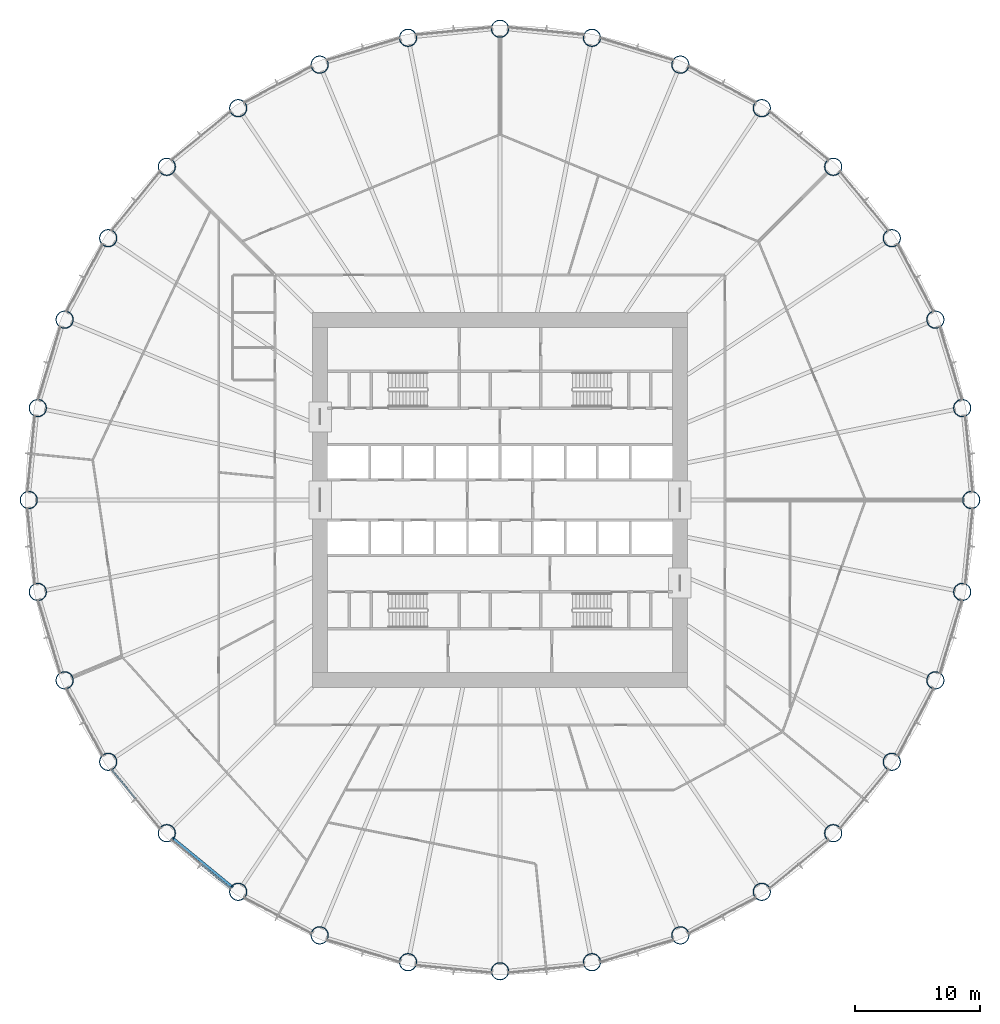
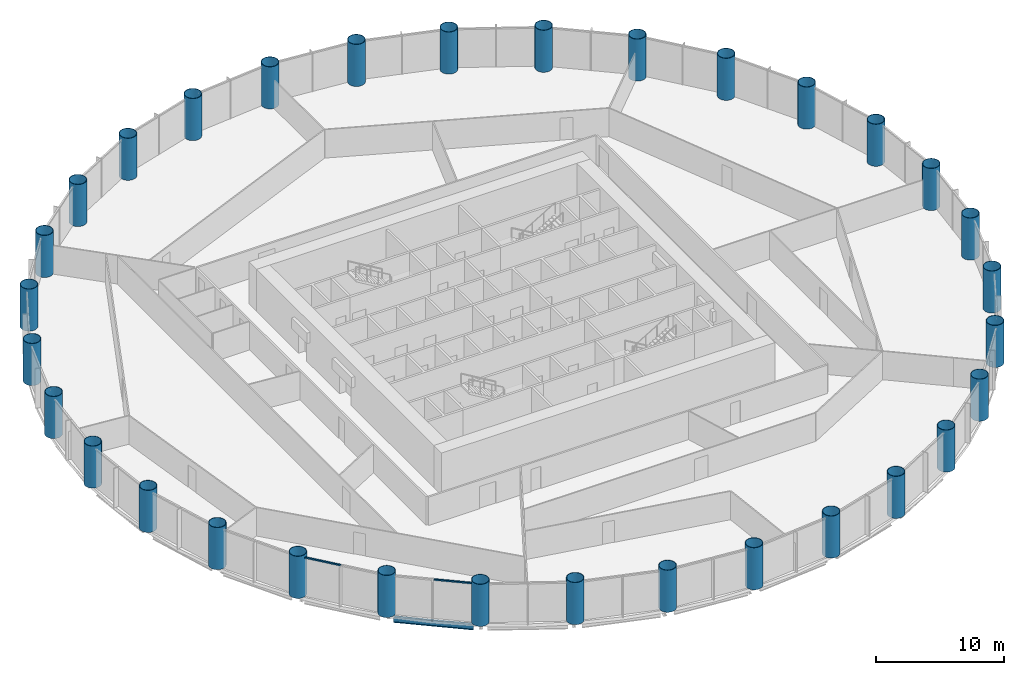
# One storey, part 1 of 15: 32 columns, 2 members, 1 beam, 2 elements without a shape of their own.
"""IFC4 building model written with IfcOpenShell, lengths in metres."""

from ifc_helpers import new_model, si_unit, direction, frame, origin, origin_2d, place, context, subcontext, project, spatial, rectangle, hollow_circle, i_section, extrude, material, material_profile, profile_set, type_object, element, aggregate, save


model = new_model("IFC4")

# Units and contexts
model_context = context("Model", 3, precision=1e-05, world=origin(), true_north=direction((0.0, 1.0)))
body_context = subcontext(model_context, "Body", "Model", "MODEL_VIEW")
ifc_project = project(units=[si_unit("LENGTHUNIT", "METRE"), si_unit("AREAUNIT", "SQUARE_METRE"), si_unit("VOLUMEUNIT", "CUBIC_METRE"), si_unit("PLANEANGLEUNIT", "RADIAN"), si_unit("MASSUNIT", "GRAM", prefix="KILO")], contexts=[model_context])

# Site, building, storey
site_placement = place(None, origin())
site = spatial("IfcSite", under=ifc_project, at=site_placement, CompositionType="ELEMENT")
building_placement = place(site_placement, origin())
building = spatial("IfcBuilding", under=site, at=building_placement, Name="Corvane Civic Tower", CompositionType="ELEMENT")
storey_placement = place(building_placement, frame((0.0, 0.0, 61.0)))
storey = spatial("IfcBuildingStorey", under=building, at=storey_placement, Name="L13", CompositionType="ELEMENT", Elevation=61.0)

# Columns
ifc_material_1 = material(Name="Steel ASTM A572 Gr 50", Category="steel")
ifc_material_profile_1 = material_profile(ifc_material_1, hollow_circle(Radius=0.699951171875, WallThickness=0.0400390625, at=origin_2d()), Name="CHS1400X40")
ifc_profile_set_1 = profile_set([ifc_material_profile_1], Name="Steel ASTM A572 Gr 50")
column_type = type_object("IfcColumnType", Name="COMPOSITE COLUMN CHS1400X40", PredefinedType="COLUMN", material=ifc_profile_set_1)
for number, where, z_axis, x_axis, name in (
    (1, (0.0, 37.699951171875, 0.0), (0.0, 0.0, 1.0), (1.0, 0.0, 0.0), "COL-L13-A01"),
    (2, (7.35498046875, 36.9755859375, 0.0), (0.0, 0.0, 1.0), (1.0, 0.0, 0.0), "COL-L13-A02"),
    (3, (14.42724609375, 34.830322265625, 0.0), (0.0, 0.0, 1.0), (1.0, 0.0, 0.0), "COL-L13-A03"),
    (4, (20.945068359375, 31.346435546875, 0.0), (0.0, 0.0, 1.0), (1.0, 0.0, 0.0), "COL-L13-A04"),
    (5, (26.657958984375, 26.657958984375, 0.0), (0.0, 0.0, 1.0), (1.0, 0.0, 0.0), "COL-L13-A05"),
    (6, (31.346435546875, 20.945068359375, 0.0), (0.0, 0.0, 1.0), (1.0, 0.0, 0.0), "COL-L13-A06"),
    (7, (34.830322265625, 14.42724609375, 0.0), (0.0, 0.0, 1.0), (1.0, 0.0, 0.0), "COL-L13-A07"),
    (8, (36.9755859375, 7.35498046875, 0.0), (0.0, 0.0, 1.0), (1.0, 0.0, 0.0), "COL-L13-A08"),
    (9, (37.699951171875, 0.0, 0.0), (0.0, 0.0, 1.0), (1.0, 0.0, 0.0), "COL-L13-A09"),
    (10, (36.9755859375, -7.35498046875, 0.0), (0.0, 0.0, 1.0), (1.0, 0.0, 0.0), "COL-L13-A10"),
    (11, (34.830322265625, -14.42724609375, 0.0), (0.0, 0.0, 1.0), (1.0, 0.0, 0.0), "COL-L13-A11"),
    (12, (31.346435546875, -20.945068359375, 0.0), (0.0, 0.0, 1.0), (1.0, 0.0, 0.0), "COL-L13-A12"),
    (13, (26.657958984375, -26.657958984375, 0.0), (0.0, 0.0, 1.0), (1.0, 0.0, 0.0), "COL-L13-A13"),
    (14, (20.945068359375, -31.346435546875, 0.0), (0.0, 0.0, 1.0), (1.0, 0.0, 0.0), "COL-L13-A14"),
    (15, (14.42724609375, -34.830322265625, 0.0), (0.0, 0.0, 1.0), (1.0, 0.0, 0.0), "COL-L13-A15"),
    (16, (7.35498046875, -36.9755859375, 0.0), (0.0, 0.0, 1.0), (1.0, 0.0, 0.0), "COL-L13-A16"),
    (17, (0.0, -37.699951171875, 0.0), (0.0, 0.0, 1.0), (1.0, 0.0, 0.0), "COL-L13-A17"),
    (18, (-7.35498046875, -36.9755859375, 0.0), (0.0, 0.0, 1.0), (1.0, 0.0, 0.0), "COL-L13-A18"),
    (19, (-14.42724609375, -34.830322265625, 0.0), (0.0, 0.0, 1.0), (1.0, 0.0, 0.0), "COL-L13-A19"),
    (20, (-20.945068359375, -31.346435546875, 0.0), (0.0, 0.0, 1.0), (1.0, 0.0, 0.0), "COL-L13-A20"),
    (21, (-26.657958984375, -26.657958984375, 0.0), (0.0, 0.0, 1.0), (1.0, 0.0, 0.0), "COL-L13-A21"),
    (22, (-31.346435546875, -20.945068359375, 0.0), (0.0, 0.0, 1.0), (1.0, 0.0, 0.0), "COL-L13-A22"),
    (23, (-34.830322265625, -14.42724609375, 0.0), (0.0, 0.0, 1.0), (1.0, 0.0, 0.0), "COL-L13-A23"),
    (24, (-36.9755859375, -7.35498046875, 0.0), (0.0, 0.0, 1.0), (1.0, 0.0, 0.0), "COL-L13-A24"),
    (25, (-37.699951171875, 0.0, 0.0), (0.0, 0.0, 1.0), (1.0, 0.0, 0.0), "COL-L13-A25"),
    (26, (-36.9755859375, 7.35498046875, 0.0), (0.0, 0.0, 1.0), (1.0, 0.0, 0.0), "COL-L13-A26"),
    (27, (-34.830322265625, 14.42724609375, 0.0), (0.0, 0.0, 1.0), (1.0, 0.0, 0.0), "COL-L13-A27"),
    (28, (-31.346435546875, 20.945068359375, 0.0), (0.0, 0.0, 1.0), (1.0, 0.0, 0.0), "COL-L13-A28"),
    (29, (-26.657958984375, 26.657958984375, 0.0), (0.0, 0.0, 1.0), (1.0, 0.0, 0.0), "COL-L13-A29"),
    (30, (-20.945068359375, 31.346435546875, 0.0), (0.0, 0.0, 1.0), (1.0, 0.0, 0.0), "COL-L13-A30"),
    (31, (-14.42724609375, 34.830322265625, 0.0), (0.0, 0.0, 1.0), (1.0, 0.0, 0.0), "COL-L13-A31"),
    (32, (-7.35498046875, 36.9755859375, 0.0), (0.0, 0.0, 1.0), (1.0, 0.0, 0.0), "COL-L13-A32"),
):
    element("IfcColumn", number, at=place(storey_placement, frame(where, z_axis=z_axis, x_axis=x_axis)), inside=storey, type_object=column_type, Name=name, PredefinedType="COLUMN", context=body_context, shape_type="SweptSolid", body=[
        extrude(hollow_circle(Radius=0.699951171875, WallThickness=0.0400390625, at=origin_2d()), origin(), (0.0, 0.0, 1.0), 4.0),
    ])

# Beam
ifc_material_2 = material(Name="Steel ASTM A992 Gr 50", Category="steel")
ifc_material_profile_2 = material_profile(ifc_material_2, i_section(OverallWidth=0.209228515625, OverallDepth=0.533447265625, WebThickness=0.01025390625, FlangeThickness=0.015625, at=origin_2d()), Name="W21X62")
ifc_profile_set_2 = profile_set([ifc_material_profile_2], Name="Steel ASTM A992 Gr 50")
beam_type = type_object("IfcBeamType", Name="EDGE BEAM W21X62", PredefinedType="BEAM", material=ifc_profile_set_2)
beam_placement = place(storey_placement, frame((-21.3701171875, -30.99755859375, -0.566650390625), z_axis=(-0.773015785286, 0.634386787141, 0.0), x_axis=(-0.634386787141, -0.773015785286, 0.0)))
element("IfcBeam", 33, at=beam_placement, inside=storey, type_object=beam_type, Name="BM-L13-E20", PredefinedType="BEAM", context=body_context, shape_type="SweptSolid", body=[
    extrude(i_section(OverallWidth=0.209228515625, OverallDepth=0.533447265625, WebThickness=0.01025390625, FlangeThickness=0.015625, at=origin_2d()), origin(), (0.0, 0.0, 1.0), 6.290771484375),
])

# Curtain wall, member
ifc_material_3 = material(Name="Anodised aluminium bronze", Category="aluminium")
curtain_wall_type = type_object("IfcCurtainWallType", Name="TOWER CW-T1 STICK CURTAIN WALL", PredefinedType="NOTDEFINED", material=ifc_material_3)
curtain_wall_1_placement = place(storey_placement, origin())
curtain_wall_1 = element("IfcCurtainWall", 34, at=curtain_wall_1_placement, inside=storey, type_object=curtain_wall_type, Name="Curtain wall CW-T1 L13 bay 20", PredefinedType="NOTDEFINED")
ifc_material_4 = material(Name="Anodised aluminium bronze", Category="aluminium")
ifc_material_profile_3 = material_profile(ifc_material_4, rectangle(XDim=0.139892578125, YDim=0.1201171875, at=origin_2d()), Name="TOWER CW-T1 TRANSOM 140x120")
ifc_profile_set_3 = profile_set([ifc_material_profile_3], Name="Anodised aluminium bronze")
member_type = type_object("IfcMemberType", Name="TOWER CW-T1 TRANSOM 140x120", PredefinedType="USERDEFINED", material=ifc_profile_set_3)
member_1_placement = place(storey_placement, frame((-21.55859375, -31.074462890625, 3.68994140625), z_axis=(-0.773041738279, 0.634355161466, 0.0), x_axis=(-0.634355161466, -0.773041738279, 0.0)))
member_1 = element("IfcMember", 35, at=member_1_placement, type_object=member_type, Name="Transom CW-T1 L13 20.1", ObjectType="TRANSOM", PredefinedType="USERDEFINED", context=body_context, shape_type="SweptSolid", body=[
    extrude(rectangle(XDim=0.139892578125, YDim=0.1201171875, at=origin_2d()), origin(), (0.0, 0.0, 1.0), 3.008544921875),
])
aggregate(curtain_wall_1, [member_1])

curtain_wall_2_placement = place(storey_placement, origin())
curtain_wall_2 = element("IfcCurtainWall", 36, at=curtain_wall_2_placement, inside=storey, type_object=curtain_wall_type, Name="Curtain wall CW-T1 L13 bay 21", PredefinedType="NOTDEFINED")
member_2_placement = place(storey_placement, frame((-29.166015625, -23.88427734375, 3.68994140625), z_axis=(-0.634355161466, 0.773041738279, 0.0), x_axis=(-0.773041738279, -0.634355161466, 0.0)))
member_2 = element("IfcMember", 37, at=member_2_placement, type_object=member_type, Name="Transom CW-T1 L13 21.2", ObjectType="TRANSOM", PredefinedType="USERDEFINED", context=body_context, shape_type="SweptSolid", body=[
    extrude(rectangle(XDim=0.139892578125, YDim=0.1201171875, at=origin_2d()), origin(), (0.0, 0.0, 1.0), 3.008544921875),
])
aggregate(curtain_wall_2, [member_2])

save(model, "model.ifc")
